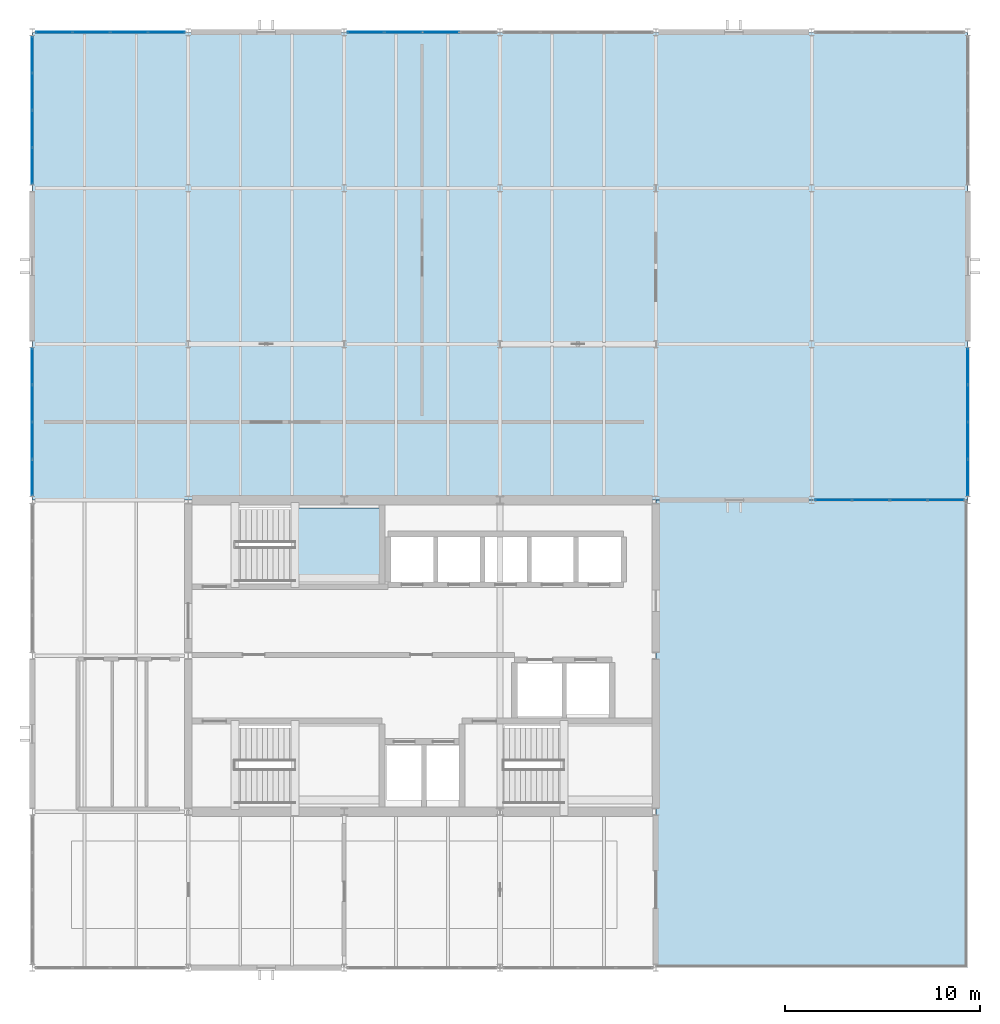
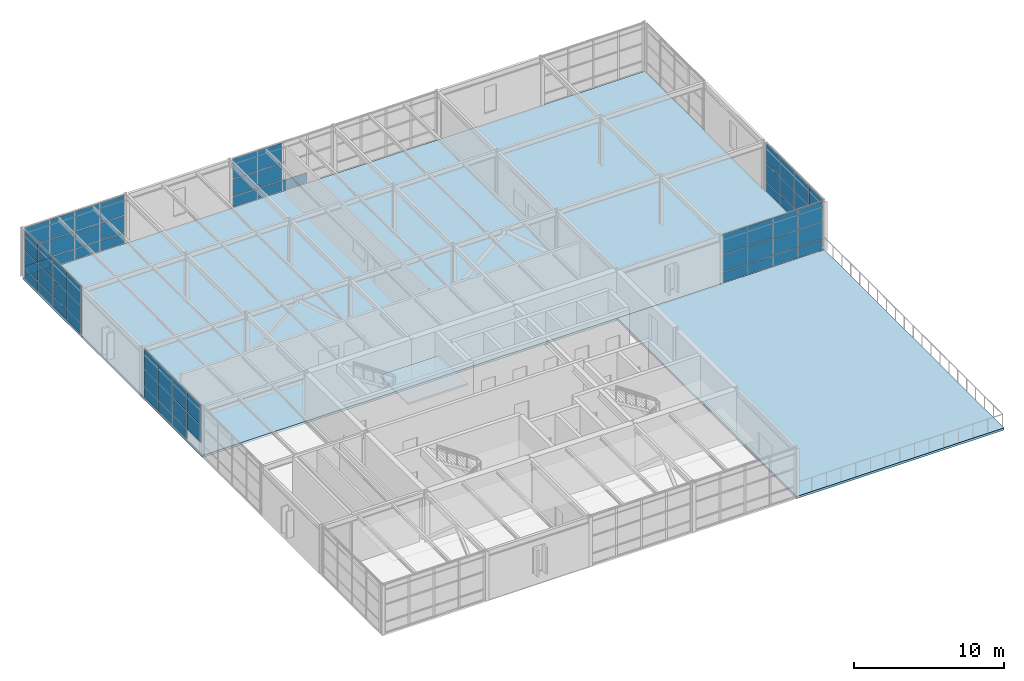
# One storey, part 16 of 21: 66 plates, 3 slabs, 7 elements without a shape of their own.
"""IFC4 building model written with IfcOpenShell, lengths in metres."""

from ifc_helpers import new_model, si_unit, direction, frame, origin, origin_2d, place, context, subcontext, project, spatial, polyline, rectangle, outline, extrude, material, layer, layer_set, type_object, element, aggregate, save


model = new_model("IFC4")

# Units and contexts
model_context = context("Model", 3, precision=1e-05, world=origin(), true_north=direction((0.0, 1.0)))
body_context = subcontext(model_context, "Body", "Model", "MODEL_VIEW")
ifc_project = project(units=[si_unit("LENGTHUNIT", "METRE"), si_unit("AREAUNIT", "SQUARE_METRE"), si_unit("VOLUMEUNIT", "CUBIC_METRE"), si_unit("PLANEANGLEUNIT", "RADIAN"), si_unit("MASSUNIT", "GRAM", prefix="KILO")], contexts=[model_context])

# Site, building, storey
site_placement = place(None, origin())
site = spatial("IfcSite", under=ifc_project, at=site_placement, CompositionType="ELEMENT")
building_placement = place(site_placement, origin())
building = spatial("IfcBuilding", under=site, at=building_placement, Name="Varnela Railside Interchange", CompositionType="ELEMENT")
storey_placement = place(building_placement, frame((0.0, 0.0, 23.800048828125)))
storey = spatial("IfcBuildingStorey", under=building, at=storey_placement, Name="L05", CompositionType="ELEMENT", Elevation=23.800048828125)

# Curtain wall, plates
ifc_material_1 = material(Name="Aluminium 6063-T6", Category="aluminium")
ifc_layer_1 = layer(ifc_material_1, 0.035888671875)
ifc_layer_set_1 = layer_set([ifc_layer_1], Name="Aluminium 6063-T6")
curtain_wall_type = type_object("IfcCurtainWallType", Name="Operations Wing Facade Curtain Wall CW-03", PredefinedType="USERDEFINED", material=ifc_layer_set_1)
curtain_wall_1_placement = place(storey_placement, origin())
curtain_wall_1 = element("IfcCurtainWall", 1, at=curtain_wall_1_placement, inside=storey, type_object=curtain_wall_type, Name="Curtain Wall CW-03 (L05) (CW-136)", ObjectType="CURTAIN WALL", PredefinedType="USERDEFINED")
ifc_material_2 = material(Name="Glass laminated double", Category="glass")
ifc_layer_2 = layer(ifc_material_2, 0.0400390625)
ifc_layer_set_2 = layer_set([ifc_layer_2], Name="Glass laminated double")
plate_type = type_object("IfcPlateType", Name="Acoustic Laminated Vision GL-03", PredefinedType="CURTAIN_PANEL", material=ifc_layer_set_2)
plate_1_placement = place(storey_placement, frame((4.0, 71.151123046875, 0.929931640625), z_axis=(0.0, 0.0, 1.0), x_axis=(0.0, 1.0, 0.0)))
plate_1 = element("IfcPlate", 2, at=plate_1_placement, type_object=plate_type, Name="CW-03 panel 1.2", PredefinedType="CURTAIN_PANEL", context=body_context, shape_type="SweptSolid", body=[
    extrude(rectangle(XDim=1.8193359375, YDim=0.0400390625, at=origin_2d()), origin(), (0.0, 0.0, 1.0), 1.37158203125),
])
plate_2_placement = place(storey_placement, frame((4.0, 71.151123046875, 2.361328125), z_axis=(0.0, 0.0, 1.0), x_axis=(0.0, 1.0, 0.0)))
plate_2 = element("IfcPlate", 3, at=plate_2_placement, type_object=plate_type, Name="CW-03 panel 1.3", PredefinedType="CURTAIN_PANEL", context=body_context, shape_type="SweptSolid", body=[
    extrude(rectangle(XDim=1.8193359375, YDim=0.0400390625, at=origin_2d()), origin(), (0.0, 0.0, 1.0), 1.598388671875),
])
plate_3_placement = place(storey_placement, frame((4.0, 73.04541015625, 0.059814453125), z_axis=(0.0, 0.0, 1.0), x_axis=(0.0, 1.0, 0.0)))
plate_3 = element("IfcPlate", 4, at=plate_3_placement, type_object=plate_type, Name="CW-03 panel 2.1", PredefinedType="CURTAIN_PANEL", context=body_context, shape_type="SweptSolid", body=[
    extrude(rectangle(XDim=1.849365234375, YDim=0.0400390625, at=origin_2d()), origin(), (0.0, 0.0, 1.0), 0.81005859375),
])
plate_4_placement = place(storey_placement, frame((4.0, 73.04541015625, 0.929931640625), z_axis=(0.0, 0.0, 1.0), x_axis=(0.0, 1.0, 0.0)))
plate_4 = element("IfcPlate", 5, at=plate_4_placement, type_object=plate_type, Name="CW-03 panel 2.2", PredefinedType="CURTAIN_PANEL", context=body_context, shape_type="SweptSolid", body=[
    extrude(rectangle(XDim=1.849365234375, YDim=0.0400390625, at=origin_2d()), origin(), (0.0, 0.0, 1.0), 1.37158203125),
])
plate_5_placement = place(storey_placement, frame((4.0, 73.04541015625, 2.361328125), z_axis=(0.0, 0.0, 1.0), x_axis=(0.0, 1.0, 0.0)))
plate_5 = element("IfcPlate", 6, at=plate_5_placement, type_object=plate_type, Name="CW-03 panel 2.3", PredefinedType="CURTAIN_PANEL", context=body_context, shape_type="SweptSolid", body=[
    extrude(rectangle(XDim=1.849365234375, YDim=0.0400390625, at=origin_2d()), origin(), (0.0, 0.0, 1.0), 1.598388671875),
])
plate_6_placement = place(storey_placement, frame((4.0, 74.95458984375, 0.059814453125), z_axis=(0.0, 0.0, 1.0), x_axis=(0.0, 1.0, 0.0)))
plate_6 = element("IfcPlate", 7, at=plate_6_placement, type_object=plate_type, Name="CW-03 panel 3.1", PredefinedType="CURTAIN_PANEL", context=body_context, shape_type="SweptSolid", body=[
    extrude(rectangle(XDim=1.849365234375, YDim=0.0400390625, at=origin_2d()), origin(), (0.0, 0.0, 1.0), 0.81005859375),
])
plate_7_placement = place(storey_placement, frame((4.0, 74.95458984375, 0.929931640625), z_axis=(0.0, 0.0, 1.0), x_axis=(0.0, 1.0, 0.0)))
plate_7 = element("IfcPlate", 8, at=plate_7_placement, type_object=plate_type, Name="CW-03 panel 3.2", PredefinedType="CURTAIN_PANEL", context=body_context, shape_type="SweptSolid", body=[
    extrude(rectangle(XDim=1.849365234375, YDim=0.0400390625, at=origin_2d()), origin(), (0.0, 0.0, 1.0), 1.37158203125),
])
plate_8_placement = place(storey_placement, frame((4.0, 74.95458984375, 2.361328125), z_axis=(0.0, 0.0, 1.0), x_axis=(0.0, 1.0, 0.0)))
plate_8 = element("IfcPlate", 9, at=plate_8_placement, type_object=plate_type, Name="CW-03 panel 3.3", PredefinedType="CURTAIN_PANEL", context=body_context, shape_type="SweptSolid", body=[
    extrude(rectangle(XDim=1.849365234375, YDim=0.0400390625, at=origin_2d()), origin(), (0.0, 0.0, 1.0), 1.598388671875),
])
plate_9_placement = place(storey_placement, frame((4.0, 76.848876953125, 0.059814453125), z_axis=(0.0, 0.0, 1.0), x_axis=(0.0, 1.0, 0.0)))
plate_9 = element("IfcPlate", 10, at=plate_9_placement, type_object=plate_type, Name="CW-03 panel 4.1", PredefinedType="CURTAIN_PANEL", context=body_context, shape_type="SweptSolid", body=[
    extrude(rectangle(XDim=1.8193359375, YDim=0.0400390625, at=origin_2d()), origin(), (0.0, 0.0, 1.0), 0.81005859375),
])
plate_10_placement = place(storey_placement, frame((4.0, 76.848876953125, 0.929931640625), z_axis=(0.0, 0.0, 1.0), x_axis=(0.0, 1.0, 0.0)))
plate_10 = element("IfcPlate", 11, at=plate_10_placement, type_object=plate_type, Name="CW-03 panel 4.2", PredefinedType="CURTAIN_PANEL", context=body_context, shape_type="SweptSolid", body=[
    extrude(rectangle(XDim=1.8193359375, YDim=0.0400390625, at=origin_2d()), origin(), (0.0, 0.0, 1.0), 1.37158203125),
])
plate_11_placement = place(storey_placement, frame((4.0, 76.848876953125, 2.361328125), z_axis=(0.0, 0.0, 1.0), x_axis=(0.0, 1.0, 0.0)))
plate_11 = element("IfcPlate", 12, at=plate_11_placement, type_object=plate_type, Name="CW-03 panel 4.3", PredefinedType="CURTAIN_PANEL", context=body_context, shape_type="SweptSolid", body=[
    extrude(rectangle(XDim=1.8193359375, YDim=0.0400390625, at=origin_2d()), origin(), (0.0, 0.0, 1.0), 1.598388671875),
])
aggregate(curtain_wall_1, [plate_1, plate_2, plate_3, plate_4, plate_5, plate_6, plate_7, plate_8, plate_9, plate_10, plate_11])

curtain_wall_2_placement = place(storey_placement, origin())
curtain_wall_2 = element("IfcCurtainWall", 13, at=curtain_wall_2_placement, inside=storey, type_object=curtain_wall_type, Name="Curtain Wall CW-03 (L05) (CW-124)", ObjectType="CURTAIN WALL", PredefinedType="USERDEFINED")
plate_12_placement = place(storey_placement, frame((4.0, 87.151123046875, 0.059814453125), z_axis=(0.0, 0.0, 1.0), x_axis=(0.0, 1.0, 0.0)))
plate_12 = element("IfcPlate", 14, at=plate_12_placement, type_object=plate_type, Name="CW-03 panel 1.1", PredefinedType="CURTAIN_PANEL", context=body_context, shape_type="SweptSolid", body=[
    extrude(rectangle(XDim=1.8193359375, YDim=0.0400390625, at=origin_2d()), origin(), (0.0, 0.0, 1.0), 0.81005859375),
])
plate_13_placement = place(storey_placement, frame((4.0, 87.151123046875, 0.929931640625), z_axis=(0.0, 0.0, 1.0), x_axis=(0.0, 1.0, 0.0)))
plate_13 = element("IfcPlate", 15, at=plate_13_placement, type_object=plate_type, Name="CW-03 panel 1.2", PredefinedType="CURTAIN_PANEL", context=body_context, shape_type="SweptSolid", body=[
    extrude(rectangle(XDim=1.8193359375, YDim=0.0400390625, at=origin_2d()), origin(), (0.0, 0.0, 1.0), 1.37158203125),
])
plate_14_placement = place(storey_placement, frame((4.0, 87.151123046875, 2.361328125), z_axis=(0.0, 0.0, 1.0), x_axis=(0.0, 1.0, 0.0)))
plate_14 = element("IfcPlate", 16, at=plate_14_placement, type_object=plate_type, Name="CW-03 panel 1.3", PredefinedType="CURTAIN_PANEL", context=body_context, shape_type="SweptSolid", body=[
    extrude(rectangle(XDim=1.8193359375, YDim=0.0400390625, at=origin_2d()), origin(), (0.0, 0.0, 1.0), 1.598388671875),
])
plate_15_placement = place(storey_placement, frame((4.0, 89.04541015625, 0.059814453125), z_axis=(0.0, 0.0, 1.0), x_axis=(0.0, 1.0, 0.0)))
plate_15 = element("IfcPlate", 17, at=plate_15_placement, type_object=plate_type, Name="CW-03 panel 2.1", PredefinedType="CURTAIN_PANEL", context=body_context, shape_type="SweptSolid", body=[
    extrude(rectangle(XDim=1.849365234375, YDim=0.0400390625, at=origin_2d()), origin(), (0.0, 0.0, 1.0), 0.81005859375),
])
plate_16_placement = place(storey_placement, frame((4.0, 89.04541015625, 0.929931640625), z_axis=(0.0, 0.0, 1.0), x_axis=(0.0, 1.0, 0.0)))
plate_16 = element("IfcPlate", 18, at=plate_16_placement, type_object=plate_type, Name="CW-03 panel 2.2", PredefinedType="CURTAIN_PANEL", context=body_context, shape_type="SweptSolid", body=[
    extrude(rectangle(XDim=1.849365234375, YDim=0.0400390625, at=origin_2d()), origin(), (0.0, 0.0, 1.0), 1.37158203125),
])
plate_17_placement = place(storey_placement, frame((4.0, 89.04541015625, 2.361328125), z_axis=(0.0, 0.0, 1.0), x_axis=(0.0, 1.0, 0.0)))
plate_17 = element("IfcPlate", 19, at=plate_17_placement, type_object=plate_type, Name="CW-03 panel 2.3", PredefinedType="CURTAIN_PANEL", context=body_context, shape_type="SweptSolid", body=[
    extrude(rectangle(XDim=1.849365234375, YDim=0.0400390625, at=origin_2d()), origin(), (0.0, 0.0, 1.0), 1.598388671875),
])
plate_18_placement = place(storey_placement, frame((4.0, 90.95458984375, 0.059814453125), z_axis=(0.0, 0.0, 1.0), x_axis=(0.0, 1.0, 0.0)))
plate_18 = element("IfcPlate", 20, at=plate_18_placement, type_object=plate_type, Name="CW-03 panel 3.1", PredefinedType="CURTAIN_PANEL", context=body_context, shape_type="SweptSolid", body=[
    extrude(rectangle(XDim=1.849365234375, YDim=0.0400390625, at=origin_2d()), origin(), (0.0, 0.0, 1.0), 0.81005859375),
])
plate_19_placement = place(storey_placement, frame((4.0, 90.95458984375, 0.929931640625), z_axis=(0.0, 0.0, 1.0), x_axis=(0.0, 1.0, 0.0)))
plate_19 = element("IfcPlate", 21, at=plate_19_placement, type_object=plate_type, Name="CW-03 panel 3.2", PredefinedType="CURTAIN_PANEL", context=body_context, shape_type="SweptSolid", body=[
    extrude(rectangle(XDim=1.849365234375, YDim=0.0400390625, at=origin_2d()), origin(), (0.0, 0.0, 1.0), 1.37158203125),
])
plate_20_placement = place(storey_placement, frame((4.0, 90.95458984375, 2.361328125), z_axis=(0.0, 0.0, 1.0), x_axis=(0.0, 1.0, 0.0)))
plate_20 = element("IfcPlate", 22, at=plate_20_placement, type_object=plate_type, Name="CW-03 panel 3.3", PredefinedType="CURTAIN_PANEL", context=body_context, shape_type="SweptSolid", body=[
    extrude(rectangle(XDim=1.849365234375, YDim=0.0400390625, at=origin_2d()), origin(), (0.0, 0.0, 1.0), 1.598388671875),
])
plate_21_placement = place(storey_placement, frame((4.0, 92.848876953125, 0.059814453125), z_axis=(0.0, 0.0, 1.0), x_axis=(0.0, 1.0, 0.0)))
plate_21 = element("IfcPlate", 23, at=plate_21_placement, type_object=plate_type, Name="CW-03 panel 4.1", PredefinedType="CURTAIN_PANEL", context=body_context, shape_type="SweptSolid", body=[
    extrude(rectangle(XDim=1.8193359375, YDim=0.0400390625, at=origin_2d()), origin(), (0.0, 0.0, 1.0), 0.81005859375),
])
plate_22_placement = place(storey_placement, frame((4.0, 92.848876953125, 0.929931640625), z_axis=(0.0, 0.0, 1.0), x_axis=(0.0, 1.0, 0.0)))
plate_22 = element("IfcPlate", 24, at=plate_22_placement, type_object=plate_type, Name="CW-03 panel 4.2", PredefinedType="CURTAIN_PANEL", context=body_context, shape_type="SweptSolid", body=[
    extrude(rectangle(XDim=1.8193359375, YDim=0.0400390625, at=origin_2d()), origin(), (0.0, 0.0, 1.0), 1.37158203125),
])
plate_23_placement = place(storey_placement, frame((4.0, 92.848876953125, 2.361328125), z_axis=(0.0, 0.0, 1.0), x_axis=(0.0, 1.0, 0.0)))
plate_23 = element("IfcPlate", 25, at=plate_23_placement, type_object=plate_type, Name="CW-03 panel 4.3", PredefinedType="CURTAIN_PANEL", context=body_context, shape_type="SweptSolid", body=[
    extrude(rectangle(XDim=1.8193359375, YDim=0.0400390625, at=origin_2d()), origin(), (0.0, 0.0, 1.0), 1.598388671875),
])
aggregate(curtain_wall_2, [plate_12, plate_13, plate_14, plate_15, plate_16, plate_17, plate_18, plate_19, plate_20, plate_21, plate_22, plate_23])

curtain_wall_3_placement = place(storey_placement, origin())
curtain_wall_3 = element("IfcCurtainWall", 26, at=curtain_wall_3_placement, inside=storey, type_object=curtain_wall_type, Name="Curtain Wall CW-03 (L05) (CW-125)", ObjectType="CURTAIN WALL", PredefinedType="USERDEFINED")
plate_24_placement = place(storey_placement, frame((5.111328125, 94.0, 0.059814453125), z_axis=(0.0, 0.0, 1.0), x_axis=(1.0, 0.0, 0.0)))
plate_24 = element("IfcPlate", 27, at=plate_24_placement, type_object=plate_type, Name="CW-03 panel 1.1", PredefinedType="CURTAIN_PANEL", context=body_context, shape_type="SweptSolid", body=[
    extrude(rectangle(XDim=1.845703125, YDim=0.0400390625, at=origin_2d()), origin(), (0.0, 0.0, 1.0), 0.81005859375),
])
plate_25_placement = place(storey_placement, frame((5.111328125, 94.0, 0.929931640625), z_axis=(0.0, 0.0, 1.0), x_axis=(1.0, 0.0, 0.0)))
plate_25 = element("IfcPlate", 28, at=plate_25_placement, type_object=plate_type, Name="CW-03 panel 1.2", PredefinedType="CURTAIN_PANEL", context=body_context, shape_type="SweptSolid", body=[
    extrude(rectangle(XDim=1.845703125, YDim=0.0400390625, at=origin_2d()), origin(), (0.0, 0.0, 1.0), 1.37158203125),
])
plate_26_placement = place(storey_placement, frame((5.111328125, 94.0, 2.361328125), z_axis=(0.0, 0.0, 1.0), x_axis=(1.0, 0.0, 0.0)))
plate_26 = element("IfcPlate", 29, at=plate_26_placement, type_object=plate_type, Name="CW-03 panel 1.3", PredefinedType="CURTAIN_PANEL", context=body_context, shape_type="SweptSolid", body=[
    extrude(rectangle(XDim=1.845703125, YDim=0.0400390625, at=origin_2d()), origin(), (0.0, 0.0, 1.0), 1.598388671875),
])
plate_27_placement = place(storey_placement, frame((7.0322265625, 94.0, 0.059814453125), z_axis=(0.0, 0.0, 1.0), x_axis=(1.0, 0.0, 0.0)))
plate_27 = element("IfcPlate", 30, at=plate_27_placement, type_object=plate_type, Name="CW-03 panel 2.1", PredefinedType="CURTAIN_PANEL", context=body_context, shape_type="SweptSolid", body=[
    extrude(rectangle(XDim=1.875732421875, YDim=0.0400390625, at=origin_2d()), origin(), (0.0, 0.0, 1.0), 0.81005859375),
])
plate_28_placement = place(storey_placement, frame((7.0322265625, 94.0, 0.929931640625), z_axis=(0.0, 0.0, 1.0), x_axis=(1.0, 0.0, 0.0)))
plate_28 = element("IfcPlate", 31, at=plate_28_placement, type_object=plate_type, Name="CW-03 panel 2.2", PredefinedType="CURTAIN_PANEL", context=body_context, shape_type="SweptSolid", body=[
    extrude(rectangle(XDim=1.875732421875, YDim=0.0400390625, at=origin_2d()), origin(), (0.0, 0.0, 1.0), 1.37158203125),
])
plate_29_placement = place(storey_placement, frame((7.0322265625, 94.0, 2.361328125), z_axis=(0.0, 0.0, 1.0), x_axis=(1.0, 0.0, 0.0)))
plate_29 = element("IfcPlate", 32, at=plate_29_placement, type_object=plate_type, Name="CW-03 panel 2.3", PredefinedType="CURTAIN_PANEL", context=body_context, shape_type="SweptSolid", body=[
    extrude(rectangle(XDim=1.875732421875, YDim=0.0400390625, at=origin_2d()), origin(), (0.0, 0.0, 1.0), 1.598388671875),
])
plate_30_placement = place(storey_placement, frame((8.9677734375, 94.0, 0.059814453125), z_axis=(0.0, 0.0, 1.0), x_axis=(1.0, 0.0, 0.0)))
plate_30 = element("IfcPlate", 33, at=plate_30_placement, type_object=plate_type, Name="CW-03 panel 3.1", PredefinedType="CURTAIN_PANEL", context=body_context, shape_type="SweptSolid", body=[
    extrude(rectangle(XDim=1.875732421875, YDim=0.0400390625, at=origin_2d()), origin(), (0.0, 0.0, 1.0), 0.81005859375),
])
plate_31_placement = place(storey_placement, frame((8.9677734375, 94.0, 0.929931640625), z_axis=(0.0, 0.0, 1.0), x_axis=(1.0, 0.0, 0.0)))
plate_31 = element("IfcPlate", 34, at=plate_31_placement, type_object=plate_type, Name="CW-03 panel 3.2", PredefinedType="CURTAIN_PANEL", context=body_context, shape_type="SweptSolid", body=[
    extrude(rectangle(XDim=1.875732421875, YDim=0.0400390625, at=origin_2d()), origin(), (0.0, 0.0, 1.0), 1.37158203125),
])
plate_32_placement = place(storey_placement, frame((8.9677734375, 94.0, 2.361328125), z_axis=(0.0, 0.0, 1.0), x_axis=(1.0, 0.0, 0.0)))
plate_32 = element("IfcPlate", 35, at=plate_32_placement, type_object=plate_type, Name="CW-03 panel 3.3", PredefinedType="CURTAIN_PANEL", context=body_context, shape_type="SweptSolid", body=[
    extrude(rectangle(XDim=1.875732421875, YDim=0.0400390625, at=origin_2d()), origin(), (0.0, 0.0, 1.0), 1.598388671875),
])
plate_33_placement = place(storey_placement, frame((10.888671875, 94.0, 0.059814453125), z_axis=(0.0, 0.0, 1.0), x_axis=(1.0, 0.0, 0.0)))
plate_33 = element("IfcPlate", 36, at=plate_33_placement, type_object=plate_type, Name="CW-03 panel 4.1", PredefinedType="CURTAIN_PANEL", context=body_context, shape_type="SweptSolid", body=[
    extrude(rectangle(XDim=1.845703125, YDim=0.0400390625, at=origin_2d()), origin(), (0.0, 0.0, 1.0), 0.81005859375),
])
plate_34_placement = place(storey_placement, frame((10.888671875, 94.0, 0.929931640625), z_axis=(0.0, 0.0, 1.0), x_axis=(1.0, 0.0, 0.0)))
plate_34 = element("IfcPlate", 37, at=plate_34_placement, type_object=plate_type, Name="CW-03 panel 4.2", PredefinedType="CURTAIN_PANEL", context=body_context, shape_type="SweptSolid", body=[
    extrude(rectangle(XDim=1.845703125, YDim=0.0400390625, at=origin_2d()), origin(), (0.0, 0.0, 1.0), 1.37158203125),
])
plate_35_placement = place(storey_placement, frame((10.888671875, 94.0, 2.361328125), z_axis=(0.0, 0.0, 1.0), x_axis=(1.0, 0.0, 0.0)))
plate_35 = element("IfcPlate", 38, at=plate_35_placement, type_object=plate_type, Name="CW-03 panel 4.3", PredefinedType="CURTAIN_PANEL", context=body_context, shape_type="SweptSolid", body=[
    extrude(rectangle(XDim=1.845703125, YDim=0.0400390625, at=origin_2d()), origin(), (0.0, 0.0, 1.0), 1.598388671875),
])
aggregate(curtain_wall_3, [plate_24, plate_25, plate_26, plate_27, plate_28, plate_29, plate_30, plate_31, plate_32, plate_33, plate_34, plate_35])

curtain_wall_4_placement = place(storey_placement, origin())
curtain_wall_4 = element("IfcCurtainWall", 39, at=curtain_wall_4_placement, inside=storey, type_object=curtain_wall_type, Name="Curtain Wall CW-03 (L05) (CW-126)", ObjectType="CURTAIN WALL", PredefinedType="USERDEFINED")
plate_36_placement = place(storey_placement, frame((21.111328125, 94.0, 0.059814453125), z_axis=(0.0, 0.0, 1.0), x_axis=(1.0, 0.0, 0.0)))
plate_36 = element("IfcPlate", 40, at=plate_36_placement, type_object=plate_type, Name="CW-03 panel 1.1", PredefinedType="CURTAIN_PANEL", context=body_context, shape_type="SweptSolid", body=[
    extrude(rectangle(XDim=1.845703125, YDim=0.0400390625, at=origin_2d()), origin(), (0.0, 0.0, 1.0), 0.81005859375),
])
plate_37_placement = place(storey_placement, frame((21.111328125, 94.0, 0.929931640625), z_axis=(0.0, 0.0, 1.0), x_axis=(1.0, 0.0, 0.0)))
plate_37 = element("IfcPlate", 41, at=plate_37_placement, type_object=plate_type, Name="CW-03 panel 1.2", PredefinedType="CURTAIN_PANEL", context=body_context, shape_type="SweptSolid", body=[
    extrude(rectangle(XDim=1.845703125, YDim=0.0400390625, at=origin_2d()), origin(), (0.0, 0.0, 1.0), 1.37158203125),
])
plate_38_placement = place(storey_placement, frame((21.111328125, 94.0, 2.361328125), z_axis=(0.0, 0.0, 1.0), x_axis=(1.0, 0.0, 0.0)))
plate_38 = element("IfcPlate", 42, at=plate_38_placement, type_object=plate_type, Name="CW-03 panel 1.3", PredefinedType="CURTAIN_PANEL", context=body_context, shape_type="SweptSolid", body=[
    extrude(rectangle(XDim=1.845703125, YDim=0.0400390625, at=origin_2d()), origin(), (0.0, 0.0, 1.0), 1.598388671875),
])
plate_39_placement = place(storey_placement, frame((23.0322265625, 94.0, 0.059814453125), z_axis=(0.0, 0.0, 1.0), x_axis=(1.0, 0.0, 0.0)))
plate_39 = element("IfcPlate", 43, at=plate_39_placement, type_object=plate_type, Name="CW-03 panel 2.1", PredefinedType="CURTAIN_PANEL", context=body_context, shape_type="SweptSolid", body=[
    extrude(rectangle(XDim=1.875732421875, YDim=0.0400390625, at=origin_2d()), origin(), (0.0, 0.0, 1.0), 0.81005859375),
])
plate_40_placement = place(storey_placement, frame((23.0322265625, 94.0, 0.929931640625), z_axis=(0.0, 0.0, 1.0), x_axis=(1.0, 0.0, 0.0)))
plate_40 = element("IfcPlate", 44, at=plate_40_placement, type_object=plate_type, Name="CW-03 panel 2.2", PredefinedType="CURTAIN_PANEL", context=body_context, shape_type="SweptSolid", body=[
    extrude(rectangle(XDim=1.875732421875, YDim=0.0400390625, at=origin_2d()), origin(), (0.0, 0.0, 1.0), 1.37158203125),
])
plate_41_placement = place(storey_placement, frame((23.0322265625, 94.0, 2.361328125), z_axis=(0.0, 0.0, 1.0), x_axis=(1.0, 0.0, 0.0)))
plate_41 = element("IfcPlate", 45, at=plate_41_placement, type_object=plate_type, Name="CW-03 panel 2.3", PredefinedType="CURTAIN_PANEL", context=body_context, shape_type="SweptSolid", body=[
    extrude(rectangle(XDim=1.875732421875, YDim=0.0400390625, at=origin_2d()), origin(), (0.0, 0.0, 1.0), 1.598388671875),
])
plate_42_placement = place(storey_placement, frame((24.9677734375, 94.0, 0.059814453125), z_axis=(0.0, 0.0, 1.0), x_axis=(1.0, 0.0, 0.0)))
plate_42 = element("IfcPlate", 46, at=plate_42_placement, type_object=plate_type, Name="CW-03 panel 3.1", PredefinedType="CURTAIN_PANEL", context=body_context, shape_type="SweptSolid", body=[
    extrude(rectangle(XDim=1.875732421875, YDim=0.0400390625, at=origin_2d()), origin(), (0.0, 0.0, 1.0), 0.81005859375),
])
aggregate(curtain_wall_4, [plate_36, plate_37, plate_38, plate_39, plate_40, plate_41, plate_42])

curtain_wall_5_placement = place(storey_placement, origin())
curtain_wall_5 = element("IfcCurtainWall", 47, at=curtain_wall_5_placement, inside=storey, type_object=curtain_wall_type, Name="Curtain Wall CW-03 (L05) (CW-130)", ObjectType="CURTAIN WALL", PredefinedType="USERDEFINED")
plate_43_placement = place(storey_placement, frame((52.0, 76.848876953125, 0.059814453125), z_axis=(0.0, 0.0, 1.0), x_axis=(0.0, -1.0, 0.0)))
plate_43 = element("IfcPlate", 48, at=plate_43_placement, type_object=plate_type, Name="CW-03 panel 1.1", PredefinedType="CURTAIN_PANEL", context=body_context, shape_type="SweptSolid", body=[
    extrude(rectangle(XDim=1.8193359375, YDim=0.0400390625, at=origin_2d()), origin(), (0.0, 0.0, 1.0), 0.81005859375),
])
plate_44_placement = place(storey_placement, frame((52.0, 76.848876953125, 0.929931640625), z_axis=(0.0, 0.0, 1.0), x_axis=(0.0, -1.0, 0.0)))
plate_44 = element("IfcPlate", 49, at=plate_44_placement, type_object=plate_type, Name="CW-03 panel 1.2", PredefinedType="CURTAIN_PANEL", context=body_context, shape_type="SweptSolid", body=[
    extrude(rectangle(XDim=1.8193359375, YDim=0.0400390625, at=origin_2d()), origin(), (0.0, 0.0, 1.0), 1.37158203125),
])
plate_45_placement = place(storey_placement, frame((52.0, 76.848876953125, 2.361328125), z_axis=(0.0, 0.0, 1.0), x_axis=(0.0, -1.0, 0.0)))
plate_45 = element("IfcPlate", 50, at=plate_45_placement, type_object=plate_type, Name="CW-03 panel 1.3", PredefinedType="CURTAIN_PANEL", context=body_context, shape_type="SweptSolid", body=[
    extrude(rectangle(XDim=1.8193359375, YDim=0.0400390625, at=origin_2d()), origin(), (0.0, 0.0, 1.0), 1.598388671875),
])
plate_46_placement = place(storey_placement, frame((52.0, 74.95458984375, 0.059814453125), z_axis=(0.0, 0.0, 1.0), x_axis=(0.0, -1.0, 0.0)))
plate_46 = element("IfcPlate", 51, at=plate_46_placement, type_object=plate_type, Name="CW-03 panel 2.1", PredefinedType="CURTAIN_PANEL", context=body_context, shape_type="SweptSolid", body=[
    extrude(rectangle(XDim=1.849365234375, YDim=0.0400390625, at=origin_2d()), origin(), (0.0, 0.0, 1.0), 0.81005859375),
])
plate_47_placement = place(storey_placement, frame((52.0, 74.95458984375, 0.929931640625), z_axis=(0.0, 0.0, 1.0), x_axis=(0.0, -1.0, 0.0)))
plate_47 = element("IfcPlate", 52, at=plate_47_placement, type_object=plate_type, Name="CW-03 panel 2.2", PredefinedType="CURTAIN_PANEL", context=body_context, shape_type="SweptSolid", body=[
    extrude(rectangle(XDim=1.849365234375, YDim=0.0400390625, at=origin_2d()), origin(), (0.0, 0.0, 1.0), 1.37158203125),
])
plate_48_placement = place(storey_placement, frame((52.0, 74.95458984375, 2.361328125), z_axis=(0.0, 0.0, 1.0), x_axis=(0.0, -1.0, 0.0)))
plate_48 = element("IfcPlate", 53, at=plate_48_placement, type_object=plate_type, Name="CW-03 panel 2.3", PredefinedType="CURTAIN_PANEL", context=body_context, shape_type="SweptSolid", body=[
    extrude(rectangle(XDim=1.849365234375, YDim=0.0400390625, at=origin_2d()), origin(), (0.0, 0.0, 1.0), 1.598388671875),
])
plate_49_placement = place(storey_placement, frame((52.0, 73.04541015625, 0.059814453125), z_axis=(0.0, 0.0, 1.0), x_axis=(0.0, -1.0, 0.0)))
plate_49 = element("IfcPlate", 54, at=plate_49_placement, type_object=plate_type, Name="CW-03 panel 3.1", PredefinedType="CURTAIN_PANEL", context=body_context, shape_type="SweptSolid", body=[
    extrude(rectangle(XDim=1.849365234375, YDim=0.0400390625, at=origin_2d()), origin(), (0.0, 0.0, 1.0), 0.81005859375),
])
plate_50_placement = place(storey_placement, frame((52.0, 73.04541015625, 0.929931640625), z_axis=(0.0, 0.0, 1.0), x_axis=(0.0, -1.0, 0.0)))
plate_50 = element("IfcPlate", 55, at=plate_50_placement, type_object=plate_type, Name="CW-03 panel 3.2", PredefinedType="CURTAIN_PANEL", context=body_context, shape_type="SweptSolid", body=[
    extrude(rectangle(XDim=1.849365234375, YDim=0.0400390625, at=origin_2d()), origin(), (0.0, 0.0, 1.0), 1.37158203125),
])
plate_51_placement = place(storey_placement, frame((52.0, 73.04541015625, 2.361328125), z_axis=(0.0, 0.0, 1.0), x_axis=(0.0, -1.0, 0.0)))
plate_51 = element("IfcPlate", 56, at=plate_51_placement, type_object=plate_type, Name="CW-03 panel 3.3", PredefinedType="CURTAIN_PANEL", context=body_context, shape_type="SweptSolid", body=[
    extrude(rectangle(XDim=1.849365234375, YDim=0.0400390625, at=origin_2d()), origin(), (0.0, 0.0, 1.0), 1.598388671875),
])
plate_52_placement = place(storey_placement, frame((52.0, 71.151123046875, 0.059814453125), z_axis=(0.0, 0.0, 1.0), x_axis=(0.0, -1.0, 0.0)))
plate_52 = element("IfcPlate", 57, at=plate_52_placement, type_object=plate_type, Name="CW-03 panel 4.1", PredefinedType="CURTAIN_PANEL", context=body_context, shape_type="SweptSolid", body=[
    extrude(rectangle(XDim=1.8193359375, YDim=0.0400390625, at=origin_2d()), origin(), (0.0, 0.0, 1.0), 0.81005859375),
])
plate_53_placement = place(storey_placement, frame((52.0, 71.151123046875, 0.929931640625), z_axis=(0.0, 0.0, 1.0), x_axis=(0.0, -1.0, 0.0)))
plate_53 = element("IfcPlate", 58, at=plate_53_placement, type_object=plate_type, Name="CW-03 panel 4.2", PredefinedType="CURTAIN_PANEL", context=body_context, shape_type="SweptSolid", body=[
    extrude(rectangle(XDim=1.8193359375, YDim=0.0400390625, at=origin_2d()), origin(), (0.0, 0.0, 1.0), 1.37158203125),
])
plate_54_placement = place(storey_placement, frame((52.0, 71.151123046875, 2.361328125), z_axis=(0.0, 0.0, 1.0), x_axis=(0.0, -1.0, 0.0)))
plate_54 = element("IfcPlate", 59, at=plate_54_placement, type_object=plate_type, Name="CW-03 panel 4.3", PredefinedType="CURTAIN_PANEL", context=body_context, shape_type="SweptSolid", body=[
    extrude(rectangle(XDim=1.8193359375, YDim=0.0400390625, at=origin_2d()), origin(), (0.0, 0.0, 1.0), 1.598388671875),
])
aggregate(curtain_wall_5, [plate_43, plate_44, plate_45, plate_46, plate_47, plate_48, plate_49, plate_50, plate_51, plate_52, plate_53, plate_54])

curtain_wall_6_placement = place(storey_placement, origin())
curtain_wall_6 = element("IfcCurtainWall", 60, at=curtain_wall_6_placement, inside=storey, type_object=curtain_wall_type, Name="Curtain Wall CW-03 (L05) (CW-132)", ObjectType="CURTAIN WALL", PredefinedType="USERDEFINED")
plate_55_placement = place(storey_placement, frame((50.888671875, 70.0, 0.059814453125), z_axis=(0.0, 0.0, 1.0), x_axis=(-1.0, 0.0, 0.0)))
plate_55 = element("IfcPlate", 61, at=plate_55_placement, type_object=plate_type, Name="CW-03 panel 1.1", PredefinedType="CURTAIN_PANEL", context=body_context, shape_type="SweptSolid", body=[
    extrude(rectangle(XDim=1.845703125, YDim=0.0400390625, at=origin_2d()), origin(), (0.0, 0.0, 1.0), 0.81005859375),
])
plate_56_placement = place(storey_placement, frame((50.888671875, 70.0, 0.929931640625), z_axis=(0.0, 0.0, 1.0), x_axis=(-1.0, 0.0, 0.0)))
plate_56 = element("IfcPlate", 62, at=plate_56_placement, type_object=plate_type, Name="CW-03 panel 1.2", PredefinedType="CURTAIN_PANEL", context=body_context, shape_type="SweptSolid", body=[
    extrude(rectangle(XDim=1.845703125, YDim=0.0400390625, at=origin_2d()), origin(), (0.0, 0.0, 1.0), 1.37158203125),
])
plate_57_placement = place(storey_placement, frame((50.888671875, 70.0, 2.361328125), z_axis=(0.0, 0.0, 1.0), x_axis=(-1.0, 0.0, 0.0)))
plate_57 = element("IfcPlate", 63, at=plate_57_placement, type_object=plate_type, Name="CW-03 panel 1.3", PredefinedType="CURTAIN_PANEL", context=body_context, shape_type="SweptSolid", body=[
    extrude(rectangle(XDim=1.845703125, YDim=0.0400390625, at=origin_2d()), origin(), (0.0, 0.0, 1.0), 1.598388671875),
])
plate_58_placement = place(storey_placement, frame((48.9677734375, 70.0, 0.059814453125), z_axis=(0.0, 0.0, 1.0), x_axis=(-1.0, 0.0, 0.0)))
plate_58 = element("IfcPlate", 64, at=plate_58_placement, type_object=plate_type, Name="CW-03 panel 2.1", PredefinedType="CURTAIN_PANEL", context=body_context, shape_type="SweptSolid", body=[
    extrude(rectangle(XDim=1.875732421875, YDim=0.0400390625, at=origin_2d()), origin(), (0.0, 0.0, 1.0), 0.81005859375),
])
plate_59_placement = place(storey_placement, frame((48.9677734375, 70.0, 0.929931640625), z_axis=(0.0, 0.0, 1.0), x_axis=(-1.0, 0.0, 0.0)))
plate_59 = element("IfcPlate", 65, at=plate_59_placement, type_object=plate_type, Name="CW-03 panel 2.2", PredefinedType="CURTAIN_PANEL", context=body_context, shape_type="SweptSolid", body=[
    extrude(rectangle(XDim=1.875732421875, YDim=0.0400390625, at=origin_2d()), origin(), (0.0, 0.0, 1.0), 1.37158203125),
])
plate_60_placement = place(storey_placement, frame((48.9677734375, 70.0, 2.361328125), z_axis=(0.0, 0.0, 1.0), x_axis=(-1.0, 0.0, 0.0)))
plate_60 = element("IfcPlate", 66, at=plate_60_placement, type_object=plate_type, Name="CW-03 panel 2.3", PredefinedType="CURTAIN_PANEL", context=body_context, shape_type="SweptSolid", body=[
    extrude(rectangle(XDim=1.875732421875, YDim=0.0400390625, at=origin_2d()), origin(), (0.0, 0.0, 1.0), 1.598388671875),
])
plate_61_placement = place(storey_placement, frame((47.0322265625, 70.0, 0.059814453125), z_axis=(0.0, 0.0, 1.0), x_axis=(-1.0, 0.0, 0.0)))
plate_61 = element("IfcPlate", 67, at=plate_61_placement, type_object=plate_type, Name="CW-03 panel 3.1", PredefinedType="CURTAIN_PANEL", context=body_context, shape_type="SweptSolid", body=[
    extrude(rectangle(XDim=1.875732421875, YDim=0.0400390625, at=origin_2d()), origin(), (0.0, 0.0, 1.0), 0.81005859375),
])
plate_62_placement = place(storey_placement, frame((47.0322265625, 70.0, 0.929931640625), z_axis=(0.0, 0.0, 1.0), x_axis=(-1.0, 0.0, 0.0)))
plate_62 = element("IfcPlate", 68, at=plate_62_placement, type_object=plate_type, Name="CW-03 panel 3.2", PredefinedType="CURTAIN_PANEL", context=body_context, shape_type="SweptSolid", body=[
    extrude(rectangle(XDim=1.875732421875, YDim=0.0400390625, at=origin_2d()), origin(), (0.0, 0.0, 1.0), 1.37158203125),
])
plate_63_placement = place(storey_placement, frame((47.0322265625, 70.0, 2.361328125), z_axis=(0.0, 0.0, 1.0), x_axis=(-1.0, 0.0, 0.0)))
plate_63 = element("IfcPlate", 69, at=plate_63_placement, type_object=plate_type, Name="CW-03 panel 3.3", PredefinedType="CURTAIN_PANEL", context=body_context, shape_type="SweptSolid", body=[
    extrude(rectangle(XDim=1.875732421875, YDim=0.0400390625, at=origin_2d()), origin(), (0.0, 0.0, 1.0), 1.598388671875),
])
plate_64_placement = place(storey_placement, frame((45.111328125, 70.0, 0.059814453125), z_axis=(0.0, 0.0, 1.0), x_axis=(-1.0, 0.0, 0.0)))
plate_64 = element("IfcPlate", 70, at=plate_64_placement, type_object=plate_type, Name="CW-03 panel 4.1", PredefinedType="CURTAIN_PANEL", context=body_context, shape_type="SweptSolid", body=[
    extrude(rectangle(XDim=1.845703125, YDim=0.0400390625, at=origin_2d()), origin(), (0.0, 0.0, 1.0), 0.81005859375),
])
plate_65_placement = place(storey_placement, frame((45.111328125, 70.0, 0.929931640625), z_axis=(0.0, 0.0, 1.0), x_axis=(-1.0, 0.0, 0.0)))
plate_65 = element("IfcPlate", 71, at=plate_65_placement, type_object=plate_type, Name="CW-03 panel 4.2", PredefinedType="CURTAIN_PANEL", context=body_context, shape_type="SweptSolid", body=[
    extrude(rectangle(XDim=1.845703125, YDim=0.0400390625, at=origin_2d()), origin(), (0.0, 0.0, 1.0), 1.37158203125),
])
plate_66_placement = place(storey_placement, frame((45.111328125, 70.0, 2.361328125), z_axis=(0.0, 0.0, 1.0), x_axis=(-1.0, 0.0, 0.0)))
plate_66 = element("IfcPlate", 72, at=plate_66_placement, type_object=plate_type, Name="CW-03 panel 4.3", PredefinedType="CURTAIN_PANEL", context=body_context, shape_type="SweptSolid", body=[
    extrude(rectangle(XDim=1.845703125, YDim=0.0400390625, at=origin_2d()), origin(), (0.0, 0.0, 1.0), 1.598388671875),
])
aggregate(curtain_wall_6, [plate_55, plate_56, plate_57, plate_58, plate_59, plate_60, plate_61, plate_62, plate_63, plate_64, plate_65, plate_66])

# Slabs
ifc_material_3 = material(Name="Concrete C40", Category="concrete")
ifc_layer_3 = layer(ifc_material_3, 0.179931640625)
ifc_layer_set_3 = layer_set([ifc_layer_3], Name="Concrete C40")
slab_type_1 = type_object("IfcSlabType", Name="Planted Crew Roof Terrace Slab SL-TR05", PredefinedType="FLOOR", material=ifc_layer_set_3)
slab_1_placement = place(storey_placement, frame((0.0, 0.0, -0.179931640625)))
element("IfcSlab", 73, at=slab_1_placement, inside=storey, type_object=slab_type_1, Name="Planted Crew Roof Terrace Slab SL-TR05 (L05) (SL-0193)", PredefinedType="FLOOR", context=body_context, shape_type="SweptSolid", body=[
    extrude(outline(polyline([(36.0, 46.0), (52.0, 46.0), (52.0, 70.0), (36.0, 70.0), (36.0, 46.0)])), origin(), (0.0, 0.0, 1.0), 0.179931640625),
])
ifc_layer_4 = layer(ifc_material_3, 0.179931640625)
ifc_layer_set_4 = layer_set([ifc_layer_4], Name="Concrete C40")
slab_type_2 = type_object("IfcSlabType", Name="Signalling Composite Slab SL-180A", PredefinedType="FLOOR", material=ifc_layer_set_4)
slab_2_placement = place(storey_placement, frame((0.0, 0.0, -0.179931640625)))
element("IfcSlab", 74, at=slab_2_placement, inside=storey, type_object=slab_type_2, Name="Signalling Composite Slab SL-180A (L05) (SL-0195)", PredefinedType="FLOOR", context=body_context, shape_type="SweptSolid", body=[
    extrude(outline(polyline([(4.0, 70.0), (52.0, 70.0), (52.0, 94.0), (4.0, 94.0), (4.0, 70.0)])), origin(), (0.0, 0.0, 1.0), 0.179931640625),
])

# Stair, slab
stair_type = type_object("IfcStairType", Name="Core Pressurized Stair ST-165", PredefinedType="TWO_STRAIGHT_RUN_STAIR", material=ifc_material_3)
stair_placement = place(storey_placement, origin())
stair = element("IfcStair", 75, at=stair_placement, inside=storey, type_object=stair_type, Name="Stair ST-T3 (L05) (SF-208)", PredefinedType="TWO_STRAIGHT_RUN_STAIR")
ifc_layer_5 = layer(ifc_material_3, 0.159912109375)
ifc_layer_set_5 = layer_set([ifc_layer_5], Name="Concrete C40")
slab_type_3 = type_object("IfcSlabType", Name="Stair Half-Landing Slab SL-LD", PredefinedType="LANDING", material=ifc_layer_set_5)
slab_3_placement = place(storey_placement, frame((0.0, 0.0, 1.93994140625)))
slab_3 = element("IfcSlab", 76, at=slab_3_placement, type_object=slab_type_3, Name="ST-T3 landing 1 (SL-0201)", PredefinedType="LANDING", context=body_context, shape_type="SweptSolid", body=[
    extrude(outline(polyline([(17.449951171875, 65.800048828125), (22.06005859375, 65.800048828125), (22.06005859375, 69.60009765625), (17.449951171875, 69.60009765625), (17.449951171875, 65.800048828125)])), origin(), (0.0, 0.0, 1.0), 0.159912109375),
])
aggregate(stair, [slab_3])

save(model, "model.ifc")
